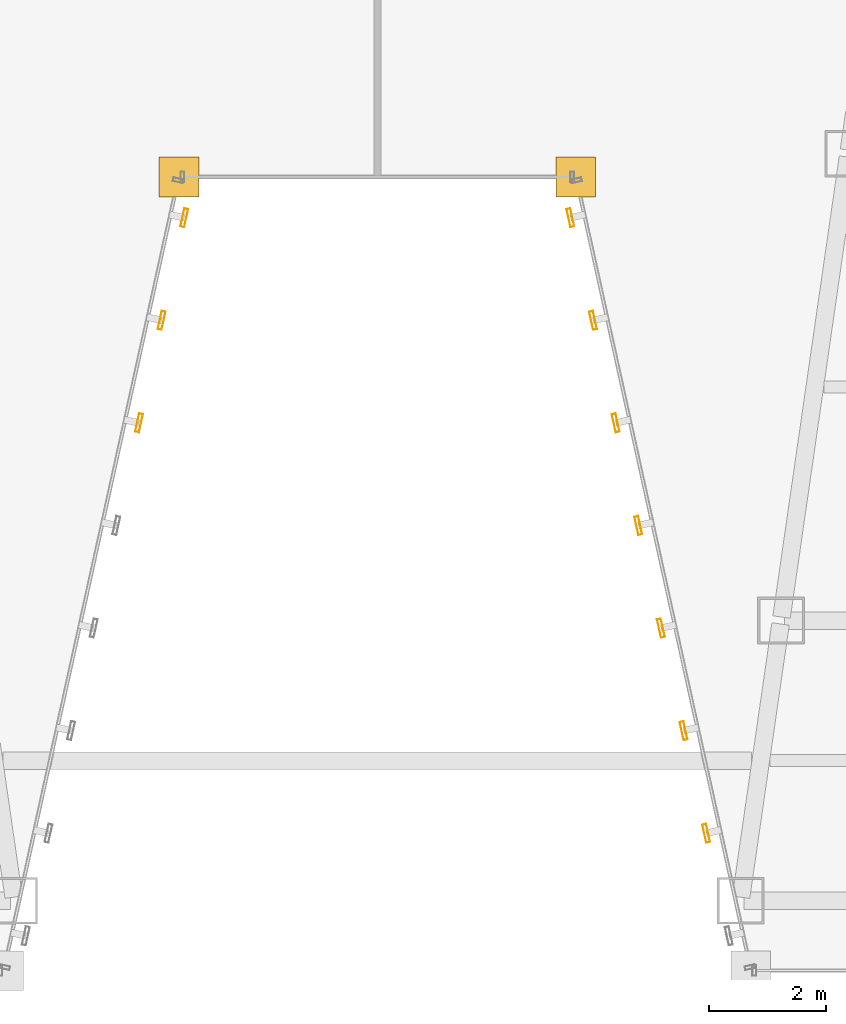
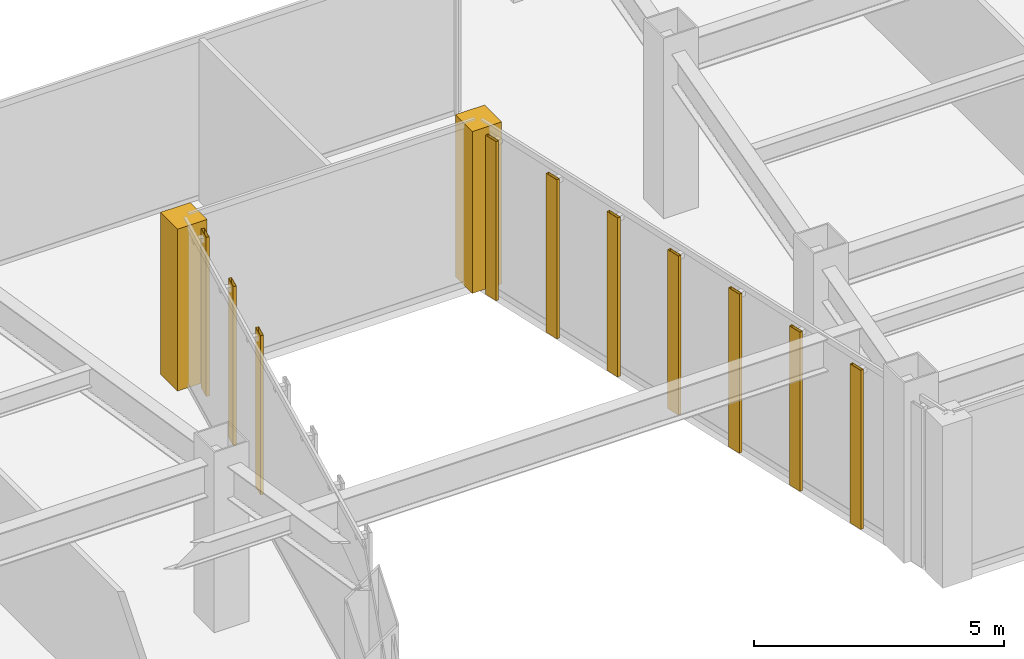
# One storey, part 42 of 47: 10 shading devices, 2 coverings.
"""IFC4 building model written with IfcOpenShell, lengths in metres."""

import ifcopenshell
import ifcopenshell.guid

model = None  # the IFC model being written
_history = None  # IfcOwnerHistory: only IFC2X3 demands one
_inside = {}  # id of a spatial element -> (the spatial element, [elements in it])
_under = {}  # id of a project, library or spatial element -> (it, [spatial elements below it])
_declared = {}  # id of a project -> (the project, [libraries it declares])
_typed = {}  # id of a type object -> (the type object, [elements of that type])
_made_of = {}  # id of a material, layer set ... -> (it, [elements and type objects made of it])


def new_model(schema):
    """Start an empty IFC model of exactly this schema.

    Asked for "IFC4X3", IfcOpenShell would pick the latest addendum, in which some entities
    have other attributes; the version numbers below select the first issue.
    IFC2X3 requires an IfcOwnerHistory on every rooted entity: one is made here for all.
    """
    global model, _history
    if schema == "IFC4X3":
        model = ifcopenshell.file(schema_version=(4, 3, 0, 0))
    else:
        model = ifcopenshell.file(schema=schema)
    _inside.clear()
    _under.clear()
    _declared.clear()
    _typed.clear()
    _made_of.clear()
    _history = None
    if model.schema == "IFC2X3":
        org = make("IfcOrganization", Name="unknown")
        user = make(
            "IfcPersonAndOrganization",
            ThePerson=make("IfcPerson", FamilyName="unknown"),
            TheOrganization=org,
        )
        app = make(
            "IfcApplication",
            ApplicationDeveloper=org,
            Version="unknown",
            ApplicationFullName="unknown",
            ApplicationIdentifier="unknown",
        )
        _history = make(
            "IfcOwnerHistory",
            OwningUser=user,
            OwningApplication=app,
            ChangeAction="ADDED",
            CreationDate=0,
        )
    return model


def make(cls, **values):
    """One entity of the class cls with the attributes given. An attribute that is None is left unset."""
    return model.create_entity(
        cls, **{name: value for name, value in values.items() if value is not None}
    )


def rooted(cls, **values):
    """An entity with a GlobalId (a new one), such as an element, a storey or a relation."""
    return make(cls, GlobalId=ifcopenshell.guid.new(), OwnerHistory=_history, **values)


def si_unit(unit_type, name, prefix=None):
    """IfcSIUnit, for example si_unit("LENGTHUNIT", "METRE", prefix="MILLI")."""
    return make("IfcSIUnit", UnitType=unit_type, Prefix=prefix, Name=name)


def assignment(units):
    """IfcUnitAssignment: the units of a project."""
    return None if units is None else make("IfcUnitAssignment", Units=units)


def point(xyz):
    """IfcCartesianPoint."""
    return None if xyz is None else make("IfcCartesianPoint", Coordinates=xyz)


def direction(xyz):
    """IfcDirection."""
    return None if xyz is None else make("IfcDirection", DirectionRatios=xyz)


def frame(location, z_axis=None, x_axis=None):
    """IfcAxis2Placement3D, a coordinate frame: its origin and axes. An axis left out is left unset."""
    return make(
        "IfcAxis2Placement3D",
        Location=point(location),
        Axis=direction(z_axis),
        RefDirection=direction(x_axis),
    )


def frame_2d(location, x_axis=None):
    """IfcAxis2Placement2D, a coordinate frame in the plane: its origin and x axis."""
    return make(
        "IfcAxis2Placement2D", Location=point(location), RefDirection=direction(x_axis)
    )


def origin():
    """The frame at (0, 0, 0) with its axes left unset."""
    return frame((0.0, 0.0, 0.0))


def origin_2d():
    """The frame at (0, 0) in the plane with its x axis left unset."""
    return frame_2d((0.0, 0.0))


def place(relative_to, where):
    """IfcLocalPlacement: puts the frame where relative to a parent placement (None: the world)."""
    return make(
        "IfcLocalPlacement", PlacementRelTo=relative_to, RelativePlacement=where
    )


def context(
    kind, dimensions, precision=None, world=None, true_north=None, identifier=None
):
    """IfcGeometricRepresentationContext, for example the 3D "Model" context."""
    return make(
        "IfcGeometricRepresentationContext",
        ContextIdentifier=identifier,
        ContextType=kind,
        CoordinateSpaceDimension=dimensions,
        Precision=precision,
        WorldCoordinateSystem=world,
        TrueNorth=true_north,
    )


def subcontext(parent, identifier, kind, view, scale=None):
    """IfcGeometricRepresentationSubContext, for example "Body" below "Model"."""
    return make(
        "IfcGeometricRepresentationSubContext",
        ContextIdentifier=identifier,
        ContextType=kind,
        ParentContext=parent,
        TargetScale=scale,
        TargetView=view,
    )


def project(units=None, contexts=None):
    """IfcProject with its units and contexts."""
    return rooted(
        "IfcProject",
        Name="project",
        RepresentationContexts=contexts,
        UnitsInContext=assignment(units),
    )


def spatial(cls, under=None, at=None, **own):
    """A site, building, storey or space (cls), placed at a placement, below another one or the project."""
    s = rooted(cls, ObjectPlacement=at, **own)
    if under is not None:
        _under.setdefault(under.id(), (under, []))[1].append(s)
    return s


def polyline(points):
    """IfcPolyline through the points."""
    return make("IfcPolyline", Points=[point(p) for p in points])


def profile(cls, at=None, kind="AREA", **sizes):
    """A parametric profile (cls). Its sizes go by their IFC names, for example OverallWidth=200.0."""
    return make(cls, ProfileType=kind, Position=at, **sizes)


def hollow_rectangle(**sizes):
    """IfcRectangleHollowProfileDef."""
    return profile("IfcRectangleHollowProfileDef", **sizes)


def outline(outer, holes=None, kind="AREA"):
    """IfcArbitraryClosedProfileDef: a profile drawn as a closed curve; with holes, ...WithVoids."""
    if holes is None:
        return make("IfcArbitraryClosedProfileDef", ProfileType=kind, OuterCurve=outer)
    return make(
        "IfcArbitraryProfileDefWithVoids",
        ProfileType=kind,
        OuterCurve=outer,
        InnerCurves=holes,
    )


def extrude(swept, where, along, depth):
    """IfcExtrudedAreaSolid: the profile swept, set in the frame where, extruded along a direction by depth."""
    return make(
        "IfcExtrudedAreaSolid",
        SweptArea=swept,
        Position=where,
        ExtrudedDirection=direction(along),
        Depth=depth,
    )


def shape(context_of_items, identifier, shape_type, items):
    """IfcShapeRepresentation: the items that make up one representation, for example the "Body"."""
    return make(
        "IfcShapeRepresentation",
        ContextOfItems=context_of_items,
        RepresentationIdentifier=identifier,
        RepresentationType=shape_type,
        Items=items,
    )


def material(Name=None, Category=None):
    """IfcMaterial."""
    return make("IfcMaterial", Name=Name, Category=Category)


def layer(
    of_material, thickness, ventilated=None, Name=None, Category=None, Priority=None
):
    """IfcMaterialLayer: one layer of a wall or slab, of a material (None: an air gap)."""
    return make(
        "IfcMaterialLayer",
        Material=of_material,
        LayerThickness=thickness,
        IsVentilated=ventilated,
        Name=Name,
        Category=Category,
        Priority=Priority,
    )


def layer_set(layers, Name=None):
    """IfcMaterialLayerSet."""
    return make("IfcMaterialLayerSet", MaterialLayers=layers, LayerSetName=Name)


def material_profile(
    of_material, cross_section, Name=None, Category=None, Priority=None
):
    """IfcMaterialProfile: a cross section and its material."""
    return make(
        "IfcMaterialProfile",
        Name=Name,
        Material=of_material,
        Profile=cross_section,
        Priority=Priority,
        Category=Category,
    )


def profile_set(profiles, Name=None, composite=None):
    """IfcMaterialProfileSet."""
    return make(
        "IfcMaterialProfileSet",
        Name=Name,
        MaterialProfiles=profiles,
        CompositeProfile=composite,
    )


def made_of(thing, what):
    """Note that an element or type object is made of a material, layer set ...; save() writes the relation."""
    if what is not None:
        _made_of.setdefault(what.id(), (what, []))[1].append(thing)
    return thing


def type_object(cls, material=None, **own):
    """A type object (cls), such as IfcWallType, which elements share."""
    return made_of(rooted(cls, **own), material)


def element(
    cls,
    number,
    at=None,
    inside=None,
    cuts=None,
    type_object=None,
    material=None,
    context=None,
    identifier="Body",
    shape_type=None,
    held_by="IfcProductDefinitionShape",
    body=None,
    shapes=None,
    **own,
):
    """One element of the class cls, such as IfcWall. Its Tag is "e" and its number.

    at: its placement. inside: the storey or other place that contains it. cuts: it is an
    opening in that element (IfcRelVoidsElement). A single representation is given by context,
    identifier, shape_type and body (its items); several are given by shapes. held_by: the class
    of the entity that holds the representations. save() writes the other relations.
    """
    e = rooted(cls, Tag="e%d" % number, ObjectPlacement=at, **own)
    if body is not None:
        shapes = [shape(context, identifier, shape_type, body)]
    if shapes is not None:
        e.Representation = make(held_by, Representations=shapes)
    if inside is not None:
        _inside.setdefault(inside.id(), (inside, []))[1].append(e)
    if cuts is not None:
        rooted(
            "IfcRelVoidsElement", RelatingBuildingElement=cuts, RelatedOpeningElement=e
        )
    if type_object is not None:
        _typed.setdefault(type_object.id(), (type_object, []))[1].append(e)
    return made_of(e, material)


def aggregate(whole, parts):
    """IfcRelAggregates: a whole, such as a stair, and the parts it consists of."""
    return rooted("IfcRelAggregates", RelatingObject=whole, RelatedObjects=parts)


def save(model, path):
    """Write the relations noted so far, then the file.

    IfcRelAggregates (storeys below a building ...), IfcRelContainedInSpatialStructure (elements
    in a storey), IfcRelDefinesByType, IfcRelAssociatesMaterial and IfcRelDeclares: one each for
    every whole, place, type object, material and project.
    """
    for whole, parts in _under.values():
        aggregate(whole, parts)
    for where, things in _inside.values():
        rooted(
            "IfcRelContainedInSpatialStructure",
            RelatedElements=things,
            RelatingStructure=where,
        )
    for kind, things in _typed.values():
        rooted("IfcRelDefinesByType", RelatedObjects=things, RelatingType=kind)
    for what, things in _made_of.values():
        rooted("IfcRelAssociatesMaterial", RelatedObjects=things, RelatingMaterial=what)
    for by, libraries in _declared.values():
        rooted("IfcRelDeclares", RelatingContext=by, RelatedDefinitions=libraries)
    model.write(path)


model = new_model("IFC4")

# Units and contexts
model_context = context("Model", 3, precision=1e-05, world=origin(), true_north=direction((0.0, 1.0)))
body_context = subcontext(model_context, "Body", "Model", "MODEL_VIEW")
ifc_project = project(units=[si_unit("LENGTHUNIT", "METRE"), si_unit("AREAUNIT", "SQUARE_METRE"), si_unit("VOLUMEUNIT", "CUBIC_METRE"), si_unit("PLANEANGLEUNIT", "RADIAN"), si_unit("MASSUNIT", "GRAM", prefix="KILO")], contexts=[model_context])

# Site, building, storey
site_placement = place(None, origin())
site = spatial("IfcSite", under=ifc_project, at=site_placement, CompositionType="ELEMENT")
building_placement = place(site_placement, origin())
building = spatial("IfcBuilding", under=site, at=building_placement, Name="Saevonmaru Cultural Tower", CompositionType="ELEMENT")
storey_placement = place(building_placement, frame((0.0, 0.0, 82.39990234375)))
storey = spatial("IfcBuildingStorey", under=building, at=storey_placement, Name="L17", CompositionType="ELEMENT", Elevation=82.39990234375)

# Coverings
ifc_material = material(Name="Satin Bronze Anodised Aluminium", Category="aluminium")
ifc_layer = layer(ifc_material, 0.679931640625, Name="Satin Bronze Anodised Aluminium")
ifc_layer_set = layer_set([ifc_layer], Name="Satin Bronze Anodised Aluminium")
covering_type = type_object("IfcCoveringType", Name="CV-CORNER-CLAD", PredefinedType="CLADDING", material=ifc_layer_set)
covering_1_placement = place(storey_placement, origin())
element("IfcCovering", 1, at=covering_1_placement, inside=storey, type_object=covering_type, Name="L17 Tower Bronze Corner Cladding Pier 4", PredefinedType="CLADDING", context=body_context, shape_type="SweptSolid", body=[
    extrude(outline(polyline([(26.260009765625, 15.260009765625), (26.93994140625, 15.260009765625), (26.93994140625, 15.93994140625), (26.260009765625, 15.93994140625), (26.260009765625, 15.260009765625)])), origin(), (0.0, 0.0, 1.0), 3.9501953125),
])
covering_2_placement = place(storey_placement, origin())
element("IfcCovering", 2, at=covering_2_placement, inside=storey, type_object=covering_type, Name="L17 Tower Bronze Corner Cladding Pier 5", PredefinedType="CLADDING", context=body_context, shape_type="SweptSolid", body=[
    extrude(outline(polyline([(33.06005859375, 15.260009765625), (33.739990234375, 15.260009765625), (33.739990234375, 15.93994140625), (33.06005859375, 15.93994140625), (33.06005859375, 15.260009765625)])), origin(), (0.0, 0.0, 1.0), 3.9501953125),
])

# Shading devices
ifc_material_profile = material_profile(ifc_material, hollow_rectangle(XDim=0.070068359375, YDim=0.320068359375, WallThickness=0.0048828125, at=origin_2d()), Name="FIN-320x70")
ifc_profile_set = profile_set([ifc_material_profile], Name="Satin Bronze Anodised Aluminium")
shading_device_type = type_object("IfcShadingDeviceType", Name="SHD-FIN-320", PredefinedType="JALOUSIE", material=ifc_profile_set)
for number, where, z_axis, x_axis, name in (
    (3, (25.916015625, 11.385009765625, 0.050048828125), (0.0, 0.0, 1.0), (0.976522126798, -0.215417120661, 0.0), "L17 Art Deco Sawtooth Bronze Fin E3-06"),
    (4, (26.3037109375, 13.142578125, 0.050048828125), (0.0, 0.0, 1.0), (0.976522126798, -0.215417120661, 0.0), "L17 Art Deco Sawtooth Bronze Fin E3-07"),
    (5, (26.69140625, 14.900390625, 0.050048828125), (0.0, 0.0, 1.0), (0.976522126798, -0.215417120661, 0.0), "L17 Art Deco Sawtooth Bronze Fin E3-08"),
    (6, (33.30859375, 14.900390625, 0.050048828125), (0.0, 0.0, 1.0), (-0.976522126798, -0.215417120661, 0.0), "L17 Art Deco Sawtooth Bronze Fin E5-01"),
    (7, (33.6962890625, 13.142578125, 0.050048828125), (0.0, 0.0, 1.0), (-0.976522126798, -0.215417120661, 0.0), "L17 Art Deco Sawtooth Bronze Fin E5-02"),
    (8, (34.083984375, 11.385009765625, 0.050048828125), (0.0, 0.0, 1.0), (-0.976522126798, -0.215417120661, 0.0), "L17 Art Deco Sawtooth Bronze Fin E5-03"),
    (9, (34.4716796875, 9.627197265625, 0.050048828125), (0.0, 0.0, 1.0), (-0.976522126798, -0.215417120661, 0.0), "L17 Art Deco Sawtooth Bronze Fin E5-04"),
    (10, (34.859619140625, 7.869384765625, 0.050048828125), (0.0, 0.0, 1.0), (-0.976522126798, -0.215417120661, 0.0), "L17 Art Deco Sawtooth Bronze Fin E5-05"),
    (11, (35.247314453125, 6.11181640625, 0.050048828125), (0.0, 0.0, 1.0), (-0.976522126798, -0.215417120661, 0.0), "L17 Art Deco Sawtooth Bronze Fin E5-06"),
    (12, (35.635009765625, 4.35400390625, 0.050048828125), (0.0, 0.0, 1.0), (-0.976522126798, -0.215417120661, 0.0), "L17 Art Deco Sawtooth Bronze Fin E5-07"),
):
    element("IfcShadingDevice", number, at=place(storey_placement, frame(where, z_axis=z_axis, x_axis=x_axis)), inside=storey, type_object=shading_device_type, Name=name, PredefinedType="JALOUSIE", context=body_context, shape_type="SweptSolid", body=[
        extrude(hollow_rectangle(XDim=0.070068359375, YDim=0.320068359375, WallThickness=0.0048828125, at=origin_2d()), origin(), (0.0, 0.0, 1.0), 3.880126953125),
    ])

save(model, "model.ifc")
